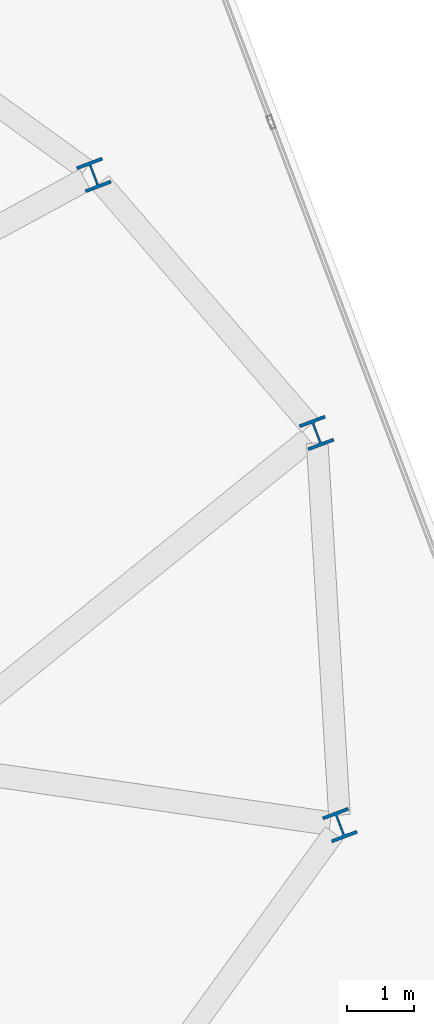
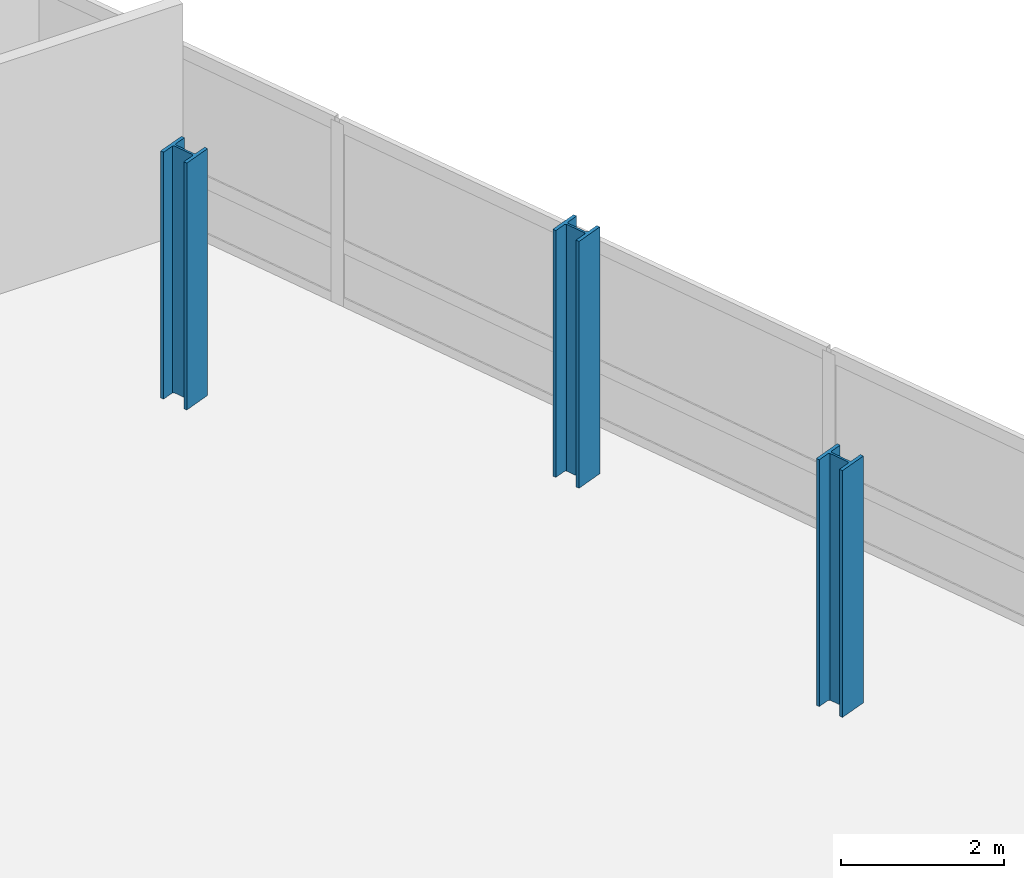
# One storey, part 2 of 20: 3 columns.
"""IFC4 building model written with IfcOpenShell, lengths in metres."""

import ifcopenshell
import ifcopenshell.guid

model = None  # the IFC model being written
_history = None  # IfcOwnerHistory: only IFC2X3 demands one
_inside = {}  # id of a spatial element -> (the spatial element, [elements in it])
_under = {}  # id of a project, library or spatial element -> (it, [spatial elements below it])
_declared = {}  # id of a project -> (the project, [libraries it declares])
_typed = {}  # id of a type object -> (the type object, [elements of that type])
_made_of = {}  # id of a material, layer set ... -> (it, [elements and type objects made of it])


def new_model(schema):
    """Start an empty IFC model of exactly this schema.

    Asked for "IFC4X3", IfcOpenShell would pick the latest addendum, in which some entities
    have other attributes; the version numbers below select the first issue.
    IFC2X3 requires an IfcOwnerHistory on every rooted entity: one is made here for all.
    """
    global model, _history
    if schema == "IFC4X3":
        model = ifcopenshell.file(schema_version=(4, 3, 0, 0))
    else:
        model = ifcopenshell.file(schema=schema)
    _inside.clear()
    _under.clear()
    _declared.clear()
    _typed.clear()
    _made_of.clear()
    _history = None
    if model.schema == "IFC2X3":
        org = make("IfcOrganization", Name="unknown")
        user = make(
            "IfcPersonAndOrganization",
            ThePerson=make("IfcPerson", FamilyName="unknown"),
            TheOrganization=org,
        )
        app = make(
            "IfcApplication",
            ApplicationDeveloper=org,
            Version="unknown",
            ApplicationFullName="unknown",
            ApplicationIdentifier="unknown",
        )
        _history = make(
            "IfcOwnerHistory",
            OwningUser=user,
            OwningApplication=app,
            ChangeAction="ADDED",
            CreationDate=0,
        )
    return model


def make(cls, **values):
    """One entity of the class cls with the attributes given. An attribute that is None is left unset."""
    return model.create_entity(
        cls, **{name: value for name, value in values.items() if value is not None}
    )


def rooted(cls, **values):
    """An entity with a GlobalId (a new one), such as an element, a storey or a relation."""
    return make(cls, GlobalId=ifcopenshell.guid.new(), OwnerHistory=_history, **values)


def si_unit(unit_type, name, prefix=None):
    """IfcSIUnit, for example si_unit("LENGTHUNIT", "METRE", prefix="MILLI")."""
    return make("IfcSIUnit", UnitType=unit_type, Prefix=prefix, Name=name)


def assignment(units):
    """IfcUnitAssignment: the units of a project."""
    return None if units is None else make("IfcUnitAssignment", Units=units)


def point(xyz):
    """IfcCartesianPoint."""
    return None if xyz is None else make("IfcCartesianPoint", Coordinates=xyz)


def direction(xyz):
    """IfcDirection."""
    return None if xyz is None else make("IfcDirection", DirectionRatios=xyz)


def frame(location, z_axis=None, x_axis=None):
    """IfcAxis2Placement3D, a coordinate frame: its origin and axes. An axis left out is left unset."""
    return make(
        "IfcAxis2Placement3D",
        Location=point(location),
        Axis=direction(z_axis),
        RefDirection=direction(x_axis),
    )


def frame_2d(location, x_axis=None):
    """IfcAxis2Placement2D, a coordinate frame in the plane: its origin and x axis."""
    return make(
        "IfcAxis2Placement2D", Location=point(location), RefDirection=direction(x_axis)
    )


def origin():
    """The frame at (0, 0, 0) with its axes left unset."""
    return frame((0.0, 0.0, 0.0))


def origin_2d():
    """The frame at (0, 0) in the plane with its x axis left unset."""
    return frame_2d((0.0, 0.0))


def place(relative_to, where):
    """IfcLocalPlacement: puts the frame where relative to a parent placement (None: the world)."""
    return make(
        "IfcLocalPlacement", PlacementRelTo=relative_to, RelativePlacement=where
    )


def context(
    kind, dimensions, precision=None, world=None, true_north=None, identifier=None
):
    """IfcGeometricRepresentationContext, for example the 3D "Model" context."""
    return make(
        "IfcGeometricRepresentationContext",
        ContextIdentifier=identifier,
        ContextType=kind,
        CoordinateSpaceDimension=dimensions,
        Precision=precision,
        WorldCoordinateSystem=world,
        TrueNorth=true_north,
    )


def subcontext(parent, identifier, kind, view, scale=None):
    """IfcGeometricRepresentationSubContext, for example "Body" below "Model"."""
    return make(
        "IfcGeometricRepresentationSubContext",
        ContextIdentifier=identifier,
        ContextType=kind,
        ParentContext=parent,
        TargetScale=scale,
        TargetView=view,
    )


def project(units=None, contexts=None):
    """IfcProject with its units and contexts."""
    return rooted(
        "IfcProject",
        Name="project",
        RepresentationContexts=contexts,
        UnitsInContext=assignment(units),
    )


def spatial(cls, under=None, at=None, **own):
    """A site, building, storey or space (cls), placed at a placement, below another one or the project."""
    s = rooted(cls, ObjectPlacement=at, **own)
    if under is not None:
        _under.setdefault(under.id(), (under, []))[1].append(s)
    return s


def profile(cls, at=None, kind="AREA", **sizes):
    """A parametric profile (cls). Its sizes go by their IFC names, for example OverallWidth=200.0."""
    return make(cls, ProfileType=kind, Position=at, **sizes)


def i_section(**sizes):
    """IfcIShapeProfileDef."""
    return profile("IfcIShapeProfileDef", **sizes)


def extrude(swept, where, along, depth):
    """IfcExtrudedAreaSolid: the profile swept, set in the frame where, extruded along a direction by depth."""
    return make(
        "IfcExtrudedAreaSolid",
        SweptArea=swept,
        Position=where,
        ExtrudedDirection=direction(along),
        Depth=depth,
    )


def shape(context_of_items, identifier, shape_type, items):
    """IfcShapeRepresentation: the items that make up one representation, for example the "Body"."""
    return make(
        "IfcShapeRepresentation",
        ContextOfItems=context_of_items,
        RepresentationIdentifier=identifier,
        RepresentationType=shape_type,
        Items=items,
    )


def material(Name=None, Category=None):
    """IfcMaterial."""
    return make("IfcMaterial", Name=Name, Category=Category)


def material_profile(
    of_material, cross_section, Name=None, Category=None, Priority=None
):
    """IfcMaterialProfile: a cross section and its material."""
    return make(
        "IfcMaterialProfile",
        Name=Name,
        Material=of_material,
        Profile=cross_section,
        Priority=Priority,
        Category=Category,
    )


def profile_set(profiles, Name=None, composite=None):
    """IfcMaterialProfileSet."""
    return make(
        "IfcMaterialProfileSet",
        Name=Name,
        MaterialProfiles=profiles,
        CompositeProfile=composite,
    )


def made_of(thing, what):
    """Note that an element or type object is made of a material, layer set ...; save() writes the relation."""
    if what is not None:
        _made_of.setdefault(what.id(), (what, []))[1].append(thing)
    return thing


def type_object(cls, material=None, **own):
    """A type object (cls), such as IfcWallType, which elements share."""
    return made_of(rooted(cls, **own), material)


def element(
    cls,
    number,
    at=None,
    inside=None,
    cuts=None,
    type_object=None,
    material=None,
    context=None,
    identifier="Body",
    shape_type=None,
    held_by="IfcProductDefinitionShape",
    body=None,
    shapes=None,
    **own,
):
    """One element of the class cls, such as IfcWall. Its Tag is "e" and its number.

    at: its placement. inside: the storey or other place that contains it. cuts: it is an
    opening in that element (IfcRelVoidsElement). A single representation is given by context,
    identifier, shape_type and body (its items); several are given by shapes. held_by: the class
    of the entity that holds the representations. save() writes the other relations.
    """
    e = rooted(cls, Tag="e%d" % number, ObjectPlacement=at, **own)
    if body is not None:
        shapes = [shape(context, identifier, shape_type, body)]
    if shapes is not None:
        e.Representation = make(held_by, Representations=shapes)
    if inside is not None:
        _inside.setdefault(inside.id(), (inside, []))[1].append(e)
    if cuts is not None:
        rooted(
            "IfcRelVoidsElement", RelatingBuildingElement=cuts, RelatedOpeningElement=e
        )
    if type_object is not None:
        _typed.setdefault(type_object.id(), (type_object, []))[1].append(e)
    return made_of(e, material)


def aggregate(whole, parts):
    """IfcRelAggregates: a whole, such as a stair, and the parts it consists of."""
    return rooted("IfcRelAggregates", RelatingObject=whole, RelatedObjects=parts)


def save(model, path):
    """Write the relations noted so far, then the file.

    IfcRelAggregates (storeys below a building ...), IfcRelContainedInSpatialStructure (elements
    in a storey), IfcRelDefinesByType, IfcRelAssociatesMaterial and IfcRelDeclares: one each for
    every whole, place, type object, material and project.
    """
    for whole, parts in _under.values():
        aggregate(whole, parts)
    for where, things in _inside.values():
        rooted(
            "IfcRelContainedInSpatialStructure",
            RelatedElements=things,
            RelatingStructure=where,
        )
    for kind, things in _typed.values():
        rooted("IfcRelDefinesByType", RelatedObjects=things, RelatingType=kind)
    for what, things in _made_of.values():
        rooted("IfcRelAssociatesMaterial", RelatedObjects=things, RelatingMaterial=what)
    for by, libraries in _declared.values():
        rooted("IfcRelDeclares", RelatingContext=by, RelatedDefinitions=libraries)
    model.write(path)


model = new_model("IFC4")

# Units and contexts
model_context = context("Model", 3, precision=1e-05, world=origin(), true_north=direction((0.0, 1.0)))
body_context = subcontext(model_context, "Body", "Model", "MODEL_VIEW")
ifc_project = project(units=[si_unit("LENGTHUNIT", "METRE"), si_unit("AREAUNIT", "SQUARE_METRE"), si_unit("VOLUMEUNIT", "CUBIC_METRE"), si_unit("PLANEANGLEUNIT", "RADIAN"), si_unit("MASSUNIT", "GRAM", prefix="KILO")], contexts=[model_context])

# Site, building, storey
site_placement = place(None, origin())
site = spatial("IfcSite", under=ifc_project, at=site_placement, CompositionType="ELEMENT")
building_placement = place(site_placement, origin())
building = spatial("IfcBuilding", under=site, at=building_placement, Name="Varnelok Gate Tower", CompositionType="ELEMENT")
storey_placement = place(building_placement, frame((0.0, 0.0, 220.10009765625)))
storey = spatial("IfcBuildingStorey", under=building, at=storey_placement, Name="L56", CompositionType="ELEMENT", Elevation=220.10009765625)

# Columns
ifc_material = material(Name="Structural Steel ASTM A992 Grade 50", Category="steel")
ifc_material_profile = material_profile(ifc_material, i_section(OverallWidth=0.406005859375, OverallDepth=0.416015625, WebThickness=0.02978515625, FlangeThickness=0.048095703125, FilletRadius=0.02490234375, at=origin_2d()), Name="W14X257")
ifc_profile_set = profile_set([ifc_material_profile], Name="Structural Steel ASTM A992 Grade 50")
column_type = type_object("IfcColumnType", Name="COL-W14X257", PredefinedType="COLUMN", material=ifc_profile_set)
for number, where, z_axis, x_axis, name in (
    (1, (71.05517578125, 26.453369140625, 0.0), (0.0, 0.0, 1.0), (0.935221751401, 0.354062530786, 0.0), "L56 B5 Perimeter Column PC06"),
    (2, (70.70556640625, 32.319580078125, 0.0), (0.0, 0.0, 1.0), (0.935221751401, 0.354062530786, 0.0), "L56 B5 Perimeter Column PC07"),
    (3, (67.372802734375, 36.1796875, 0.0), (0.0, 0.0, 1.0), (0.935221751401, 0.354062530786, 0.0), "L56 B5 Perimeter Column PC08"),
):
    element("IfcColumn", number, at=place(storey_placement, frame(where, z_axis=z_axis, x_axis=x_axis)), inside=storey, type_object=column_type, Name=name, PredefinedType="COLUMN", context=body_context, shape_type="SweptSolid", body=[
        extrude(i_section(OverallWidth=0.406005859375, OverallDepth=0.416015625, WebThickness=0.02978515625, FlangeThickness=0.048095703125, FilletRadius=0.02490234375, at=origin_2d()), origin(), (0.0, 0.0, 1.0), 3.699951171875),
    ])

save(model, "model.ifc")
